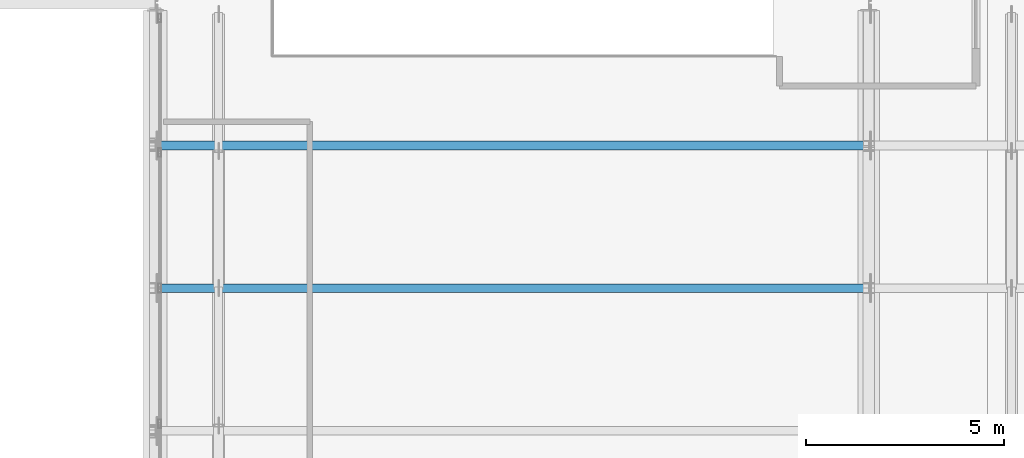
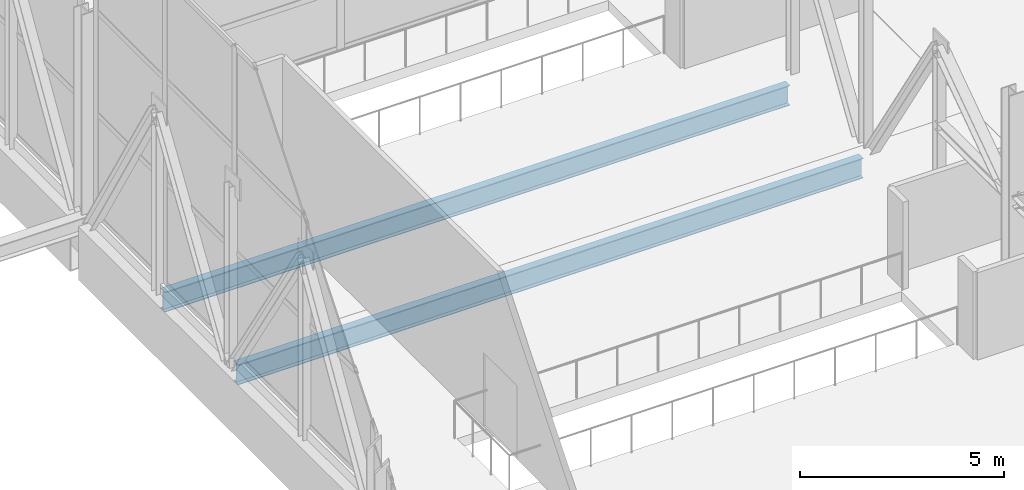
# One storey, part 40 of 191: 2 beams.
"""IFC4 building model written with IfcOpenShell, lengths in metres."""

import ifcopenshell
import ifcopenshell.guid

model = None  # the IFC model being written
_history = None  # IfcOwnerHistory: only IFC2X3 demands one
_inside = {}  # id of a spatial element -> (the spatial element, [elements in it])
_under = {}  # id of a project, library or spatial element -> (it, [spatial elements below it])
_declared = {}  # id of a project -> (the project, [libraries it declares])
_typed = {}  # id of a type object -> (the type object, [elements of that type])
_made_of = {}  # id of a material, layer set ... -> (it, [elements and type objects made of it])


def new_model(schema):
    """Start an empty IFC model of exactly this schema.

    Asked for "IFC4X3", IfcOpenShell would pick the latest addendum, in which some entities
    have other attributes; the version numbers below select the first issue.
    IFC2X3 requires an IfcOwnerHistory on every rooted entity: one is made here for all.
    """
    global model, _history
    if schema == "IFC4X3":
        model = ifcopenshell.file(schema_version=(4, 3, 0, 0))
    else:
        model = ifcopenshell.file(schema=schema)
    _inside.clear()
    _under.clear()
    _declared.clear()
    _typed.clear()
    _made_of.clear()
    _history = None
    if model.schema == "IFC2X3":
        org = make("IfcOrganization", Name="unknown")
        user = make(
            "IfcPersonAndOrganization",
            ThePerson=make("IfcPerson", FamilyName="unknown"),
            TheOrganization=org,
        )
        app = make(
            "IfcApplication",
            ApplicationDeveloper=org,
            Version="unknown",
            ApplicationFullName="unknown",
            ApplicationIdentifier="unknown",
        )
        _history = make(
            "IfcOwnerHistory",
            OwningUser=user,
            OwningApplication=app,
            ChangeAction="ADDED",
            CreationDate=0,
        )
    return model


def make(cls, **values):
    """One entity of the class cls with the attributes given. An attribute that is None is left unset."""
    return model.create_entity(
        cls, **{name: value for name, value in values.items() if value is not None}
    )


def rooted(cls, **values):
    """An entity with a GlobalId (a new one), such as an element, a storey or a relation."""
    return make(cls, GlobalId=ifcopenshell.guid.new(), OwnerHistory=_history, **values)


def si_unit(unit_type, name, prefix=None):
    """IfcSIUnit, for example si_unit("LENGTHUNIT", "METRE", prefix="MILLI")."""
    return make("IfcSIUnit", UnitType=unit_type, Prefix=prefix, Name=name)


def assignment(units):
    """IfcUnitAssignment: the units of a project."""
    return None if units is None else make("IfcUnitAssignment", Units=units)


def point(xyz):
    """IfcCartesianPoint."""
    return None if xyz is None else make("IfcCartesianPoint", Coordinates=xyz)


def direction(xyz):
    """IfcDirection."""
    return None if xyz is None else make("IfcDirection", DirectionRatios=xyz)


def frame(location, z_axis=None, x_axis=None):
    """IfcAxis2Placement3D, a coordinate frame: its origin and axes. An axis left out is left unset."""
    return make(
        "IfcAxis2Placement3D",
        Location=point(location),
        Axis=direction(z_axis),
        RefDirection=direction(x_axis),
    )


def frame_2d(location, x_axis=None):
    """IfcAxis2Placement2D, a coordinate frame in the plane: its origin and x axis."""
    return make(
        "IfcAxis2Placement2D", Location=point(location), RefDirection=direction(x_axis)
    )


def origin():
    """The frame at (0, 0, 0) with its axes left unset."""
    return frame((0.0, 0.0, 0.0))


def origin_2d():
    """The frame at (0, 0) in the plane with its x axis left unset."""
    return frame_2d((0.0, 0.0))


def place(relative_to, where):
    """IfcLocalPlacement: puts the frame where relative to a parent placement (None: the world)."""
    return make(
        "IfcLocalPlacement", PlacementRelTo=relative_to, RelativePlacement=where
    )


def context(
    kind, dimensions, precision=None, world=None, true_north=None, identifier=None
):
    """IfcGeometricRepresentationContext, for example the 3D "Model" context."""
    return make(
        "IfcGeometricRepresentationContext",
        ContextIdentifier=identifier,
        ContextType=kind,
        CoordinateSpaceDimension=dimensions,
        Precision=precision,
        WorldCoordinateSystem=world,
        TrueNorth=true_north,
    )


def subcontext(parent, identifier, kind, view, scale=None):
    """IfcGeometricRepresentationSubContext, for example "Body" below "Model"."""
    return make(
        "IfcGeometricRepresentationSubContext",
        ContextIdentifier=identifier,
        ContextType=kind,
        ParentContext=parent,
        TargetScale=scale,
        TargetView=view,
    )


def project(units=None, contexts=None):
    """IfcProject with its units and contexts."""
    return rooted(
        "IfcProject",
        Name="project",
        RepresentationContexts=contexts,
        UnitsInContext=assignment(units),
    )


def spatial(cls, under=None, at=None, **own):
    """A site, building, storey or space (cls), placed at a placement, below another one or the project."""
    s = rooted(cls, ObjectPlacement=at, **own)
    if under is not None:
        _under.setdefault(under.id(), (under, []))[1].append(s)
    return s


def profile(cls, at=None, kind="AREA", **sizes):
    """A parametric profile (cls). Its sizes go by their IFC names, for example OverallWidth=200.0."""
    return make(cls, ProfileType=kind, Position=at, **sizes)


def i_section(**sizes):
    """IfcIShapeProfileDef."""
    return profile("IfcIShapeProfileDef", **sizes)


def extrude(swept, where, along, depth):
    """IfcExtrudedAreaSolid: the profile swept, set in the frame where, extruded along a direction by depth."""
    return make(
        "IfcExtrudedAreaSolid",
        SweptArea=swept,
        Position=where,
        ExtrudedDirection=direction(along),
        Depth=depth,
    )


def shape(context_of_items, identifier, shape_type, items):
    """IfcShapeRepresentation: the items that make up one representation, for example the "Body"."""
    return make(
        "IfcShapeRepresentation",
        ContextOfItems=context_of_items,
        RepresentationIdentifier=identifier,
        RepresentationType=shape_type,
        Items=items,
    )


def material(Name=None, Category=None):
    """IfcMaterial."""
    return make("IfcMaterial", Name=Name, Category=Category)


def material_profile(
    of_material, cross_section, Name=None, Category=None, Priority=None
):
    """IfcMaterialProfile: a cross section and its material."""
    return make(
        "IfcMaterialProfile",
        Name=Name,
        Material=of_material,
        Profile=cross_section,
        Priority=Priority,
        Category=Category,
    )


def profile_set(profiles, Name=None, composite=None):
    """IfcMaterialProfileSet."""
    return make(
        "IfcMaterialProfileSet",
        Name=Name,
        MaterialProfiles=profiles,
        CompositeProfile=composite,
    )


def made_of(thing, what):
    """Note that an element or type object is made of a material, layer set ...; save() writes the relation."""
    if what is not None:
        _made_of.setdefault(what.id(), (what, []))[1].append(thing)
    return thing


def type_object(cls, material=None, **own):
    """A type object (cls), such as IfcWallType, which elements share."""
    return made_of(rooted(cls, **own), material)


def element(
    cls,
    number,
    at=None,
    inside=None,
    cuts=None,
    type_object=None,
    material=None,
    context=None,
    identifier="Body",
    shape_type=None,
    held_by="IfcProductDefinitionShape",
    body=None,
    shapes=None,
    **own,
):
    """One element of the class cls, such as IfcWall. Its Tag is "e" and its number.

    at: its placement. inside: the storey or other place that contains it. cuts: it is an
    opening in that element (IfcRelVoidsElement). A single representation is given by context,
    identifier, shape_type and body (its items); several are given by shapes. held_by: the class
    of the entity that holds the representations. save() writes the other relations.
    """
    e = rooted(cls, Tag="e%d" % number, ObjectPlacement=at, **own)
    if body is not None:
        shapes = [shape(context, identifier, shape_type, body)]
    if shapes is not None:
        e.Representation = make(held_by, Representations=shapes)
    if inside is not None:
        _inside.setdefault(inside.id(), (inside, []))[1].append(e)
    if cuts is not None:
        rooted(
            "IfcRelVoidsElement", RelatingBuildingElement=cuts, RelatedOpeningElement=e
        )
    if type_object is not None:
        _typed.setdefault(type_object.id(), (type_object, []))[1].append(e)
    return made_of(e, material)


def aggregate(whole, parts):
    """IfcRelAggregates: a whole, such as a stair, and the parts it consists of."""
    return rooted("IfcRelAggregates", RelatingObject=whole, RelatedObjects=parts)


def save(model, path):
    """Write the relations noted so far, then the file.

    IfcRelAggregates (storeys below a building ...), IfcRelContainedInSpatialStructure (elements
    in a storey), IfcRelDefinesByType, IfcRelAssociatesMaterial and IfcRelDeclares: one each for
    every whole, place, type object, material and project.
    """
    for whole, parts in _under.values():
        aggregate(whole, parts)
    for where, things in _inside.values():
        rooted(
            "IfcRelContainedInSpatialStructure",
            RelatedElements=things,
            RelatingStructure=where,
        )
    for kind, things in _typed.values():
        rooted("IfcRelDefinesByType", RelatedObjects=things, RelatingType=kind)
    for what, things in _made_of.values():
        rooted("IfcRelAssociatesMaterial", RelatedObjects=things, RelatingMaterial=what)
    for by, libraries in _declared.values():
        rooted("IfcRelDeclares", RelatingContext=by, RelatedDefinitions=libraries)
    model.write(path)


model = new_model("IFC4")

# Units and contexts
model_context = context("Model", 3, precision=1e-05, world=origin(), true_north=direction((0.0, 1.0)))
body_context = subcontext(model_context, "Body", "Model", "MODEL_VIEW")
ifc_project = project(units=[si_unit("LENGTHUNIT", "METRE"), si_unit("AREAUNIT", "SQUARE_METRE"), si_unit("VOLUMEUNIT", "CUBIC_METRE"), si_unit("PLANEANGLEUNIT", "RADIAN"), si_unit("MASSUNIT", "GRAM", prefix="KILO")], contexts=[model_context])

# Site, building, storey
site_placement = place(None, origin())
site = spatial("IfcSite", under=ifc_project, at=site_placement, CompositionType="ELEMENT")
building_placement = place(site_placement, origin())
building = spatial("IfcBuilding", under=site, at=building_placement, Name="Tamarisk Ironworks Central Station", CompositionType="ELEMENT")
storey_placement = place(building_placement, frame((0.0, 0.0, 6.60009765625)))
storey = spatial("IfcBuildingStorey", under=building, at=storey_placement, Name="L01", CompositionType="ELEMENT", Elevation=6.60009765625)

# Beams
ifc_material = material(Name="Structural steel S355J2", Category="steel")
ifc_material_profile = material_profile(ifc_material, i_section(OverallWidth=0.219970703125, OverallDepth=0.60009765625, WebThickness=0.011962890625, FlangeThickness=0.01904296875, at=origin_2d()), Name="IPE 600")
ifc_profile_set = profile_set([ifc_material_profile], Name="Structural steel S355J2")
beam_type = type_object("IfcBeamType", Name="BM-B01", PredefinedType="BEAM", material=ifc_profile_set)
for number, where, z_axis, x_axis, name in (
    (1, (54.135009765625, 57.60009765625, -0.60009765625), (1.0, 0.0, 0.0), (0.0, 1.0, 0.0), "L01 secondary composite beam 0008"),
    (2, (54.135009765625, 61.199951171875, -0.60009765625), (1.0, 0.0, 0.0), (0.0, 1.0, 0.0), "L01 secondary composite beam 0009"),
):
    element("IfcBeam", number, at=place(storey_placement, frame(where, z_axis=z_axis, x_axis=x_axis)), inside=storey, type_object=beam_type, Name=name, PredefinedType="BEAM", context=body_context, shape_type="SweptSolid", body=[
        extrude(i_section(OverallWidth=0.219970703125, OverallDepth=0.60009765625, WebThickness=0.011962890625, FlangeThickness=0.01904296875, at=origin_2d()), origin(), (0.0, 0.0, 1.0), 17.72998046875),
    ])

save(model, "model.ifc")
